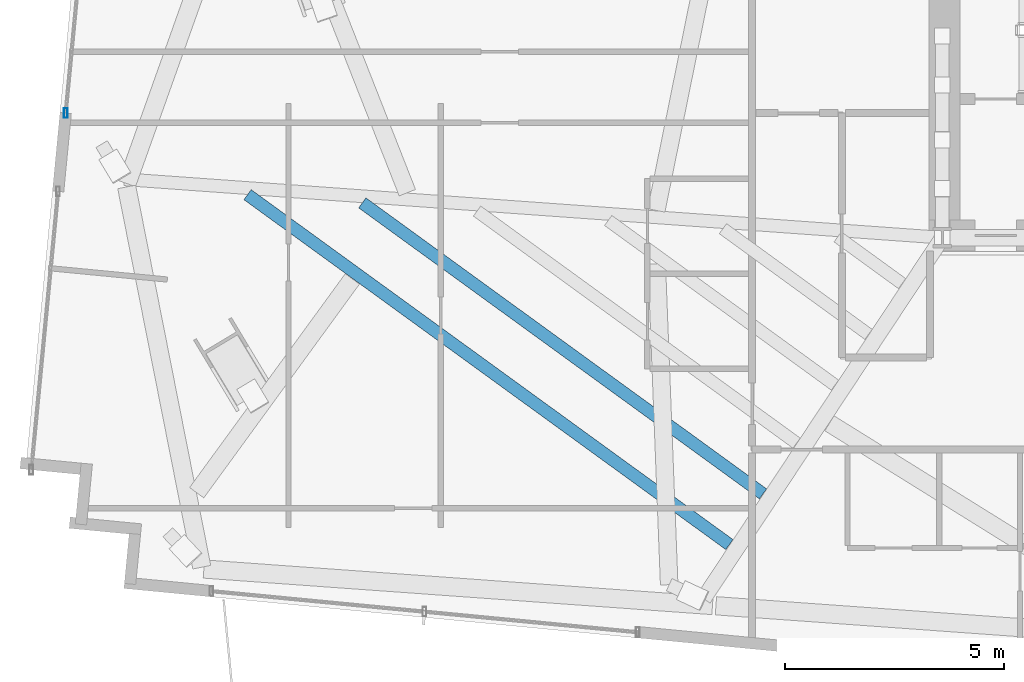
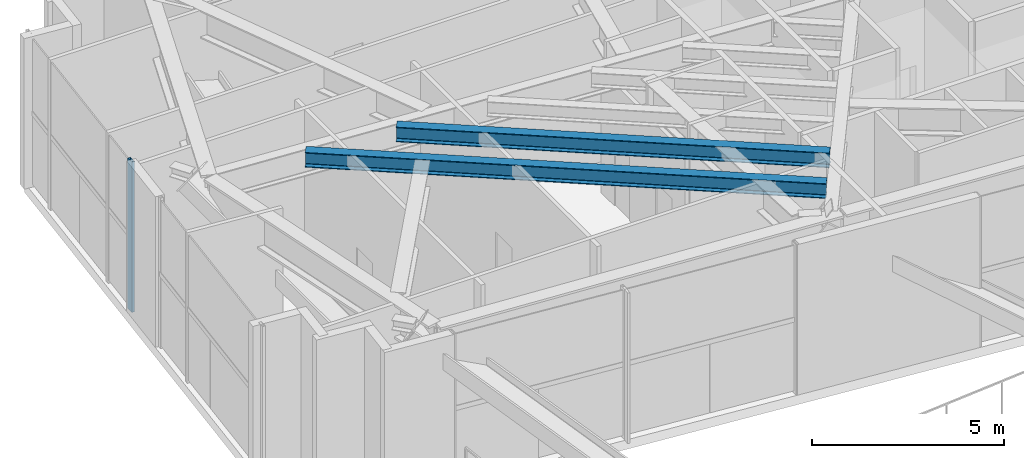
# One storey, part 3 of 23: 2 beams, 1 member, 1 element without a shape of its own.
"""IFC4 building model written with IfcOpenShell, lengths in metres."""

from ifc_helpers import new_model, si_unit, direction, frame, origin, origin_2d, place, context, subcontext, project, spatial, hollow_rectangle, i_section, extrude, source, transform, mapped, material, material_profile, profile_set, type_object, type_shapes, element, aggregate, save


model = new_model("IFC4")

# Units and contexts
model_context = context("Model", 3, precision=1e-05, world=origin(), true_north=direction((0.0, 1.0)))
body_context = subcontext(model_context, "Body", "Model", "MODEL_VIEW")
ifc_project = project(units=[si_unit("LENGTHUNIT", "METRE"), si_unit("AREAUNIT", "SQUARE_METRE"), si_unit("VOLUMEUNIT", "CUBIC_METRE"), si_unit("PLANEANGLEUNIT", "RADIAN"), si_unit("MASSUNIT", "GRAM", prefix="KILO")], contexts=[model_context])

# Site, building, storey
site_placement = place(None, origin())
site = spatial("IfcSite", under=ifc_project, at=site_placement, CompositionType="ELEMENT")
building_placement = place(site_placement, origin())
building = spatial("IfcBuilding", under=site, at=building_placement, Name="Astriad Promenade Condominiums", CompositionType="ELEMENT")
storey_placement = place(building_placement, frame((0.0, 0.0, 119.39990234375)))
storey = spatial("IfcBuildingStorey", under=building, at=storey_placement, Name="L34", CompositionType="ELEMENT", Elevation=119.39990234375)

# Beams
ifc_material_1 = material(Name="Steel ASTM A992 Grade 50", Category="steel")
ifc_material_profile_1 = material_profile(ifc_material_1, i_section(OverallWidth=0.283203125, OverallDepth=0.47216796875, WebThickness=0.013671875, FlangeThickness=0.022216796875, FilletRadius=0.01513671875, at=origin_2d()), Name="W18X97")
ifc_profile_set_1 = profile_set([ifc_material_profile_1], Name="Steel ASTM A992 Grade 50")
beam_type = type_object("IfcBeamType", Name="STEEL FLOOR JOIST W18X97", PredefinedType="JOIST", material=ifc_profile_set_1)
shared_shape_1 = source(origin(), body_context, "Body", "SweptSolid", [
    extrude(i_section(OverallWidth=0.283203125, OverallDepth=0.47216796875, WebThickness=0.013671875, FlangeThickness=0.022216796875, FilletRadius=0.01513671875, at=origin_2d()), origin(), (0.0, 0.0, 1.0), 13.627197265625),
])
beam_1_placement = place(storey_placement, frame((10.501953125, 18.384521484375, 4.5439453125), z_axis=(0.809155779947, -0.5875941829, 0.0), x_axis=(0.5875941829, 0.809155779947, 0.0)))
element("IfcBeam", 1, at=beam_1_placement, inside=storey, type_object=beam_type, Name="Secondary Composite Floor Joist JW1-1-L34", PredefinedType="JOIST", context=body_context, shape_type="MappedRepresentation", body=[
    mapped(shared_shape_1, transform((0.0, 0.0, 0.0), scale=1.0)),
])
shared_shape_2 = source(origin(), body_context, "Body", "SweptSolid", [
    extrude(i_section(OverallWidth=0.283203125, OverallDepth=0.47216796875, WebThickness=0.013671875, FlangeThickness=0.022216796875, FilletRadius=0.01513671875, at=origin_2d()), origin(), (0.0, 0.0, 1.0), 11.33154296875),
])
type_shapes(beam_type, [shared_shape_1, shared_shape_2])
beam_2_placement = place(storey_placement, frame((13.127685546875, 18.19677734375, 4.5439453125), z_axis=(0.809160726201, -0.587587371524, 0.0), x_axis=(0.587587371524, 0.809160726201, 0.0)))
element("IfcBeam", 2, at=beam_2_placement, inside=storey, type_object=beam_type, Name="Secondary Composite Floor Joist JW1-2-L34", PredefinedType="JOIST", context=body_context, shape_type="MappedRepresentation", body=[
    mapped(shared_shape_2, transform((0.0, 0.0, 0.0), scale=1.0)),
])

# Curtain wall, member
ifc_material_2 = material(Name="Anodised aluminium Black Dark Glass Unitised", Category="aluminium")
curtain_wall_type = type_object("IfcCurtainWallType", Name="CW-B34-DARK", PredefinedType="USERDEFINED", material=ifc_material_2)
curtain_wall_placement = place(storey_placement, origin())
curtain_wall = element("IfcCurtainWall", 3, at=curtain_wall_placement, inside=storey, type_object=curtain_wall_type, Name="CW-L34-W-2", ObjectType="UNITISED_CURTAIN_WALL", PredefinedType="USERDEFINED")
ifc_material_3 = material(Name="Anodised aluminium 6063-T6 Black", Category="aluminium")
ifc_material_profile_2 = material_profile(ifc_material_3, hollow_rectangle(XDim=0.0849609375, YDim=0.219970703125, WallThickness=0.0048828125, at=origin_2d()), Name="ALU-MUL-85X220")
ifc_profile_set_2 = profile_set([ifc_material_profile_2], Name="Anodised aluminium 6063-T6 Black")
member_type = type_object("IfcMemberType", Name="MUL-ALU-MUL-85X220", PredefinedType="MULLION", material=ifc_profile_set_2)
shared_shape_3 = source(origin(), body_context, "Body", "SweptSolid", [
    extrude(hollow_rectangle(XDim=0.0849609375, YDim=0.219970703125, WallThickness=0.0048828125, at=origin_2d()), origin(), (0.0, 0.0, 1.0), 4.780029296875),
])
type_shapes(member_type, [shared_shape_3])
member_placement = place(storey_placement, frame((6.339111328125, 20.251953125, 0.0), z_axis=(0.0, 0.0, 1.0), x_axis=(1.0, 0.0, 0.0)))
member = element("IfcMember", 4, at=member_placement, type_object=member_type, Name="CW-L34-W-2-MUL-00", PredefinedType="MULLION", context=body_context, shape_type="MappedRepresentation", body=[
    mapped(shared_shape_3, transform((0.0, 0.0, 0.0), scale=1.0)),
])
aggregate(curtain_wall, [member])

save(model, "model.ifc")
